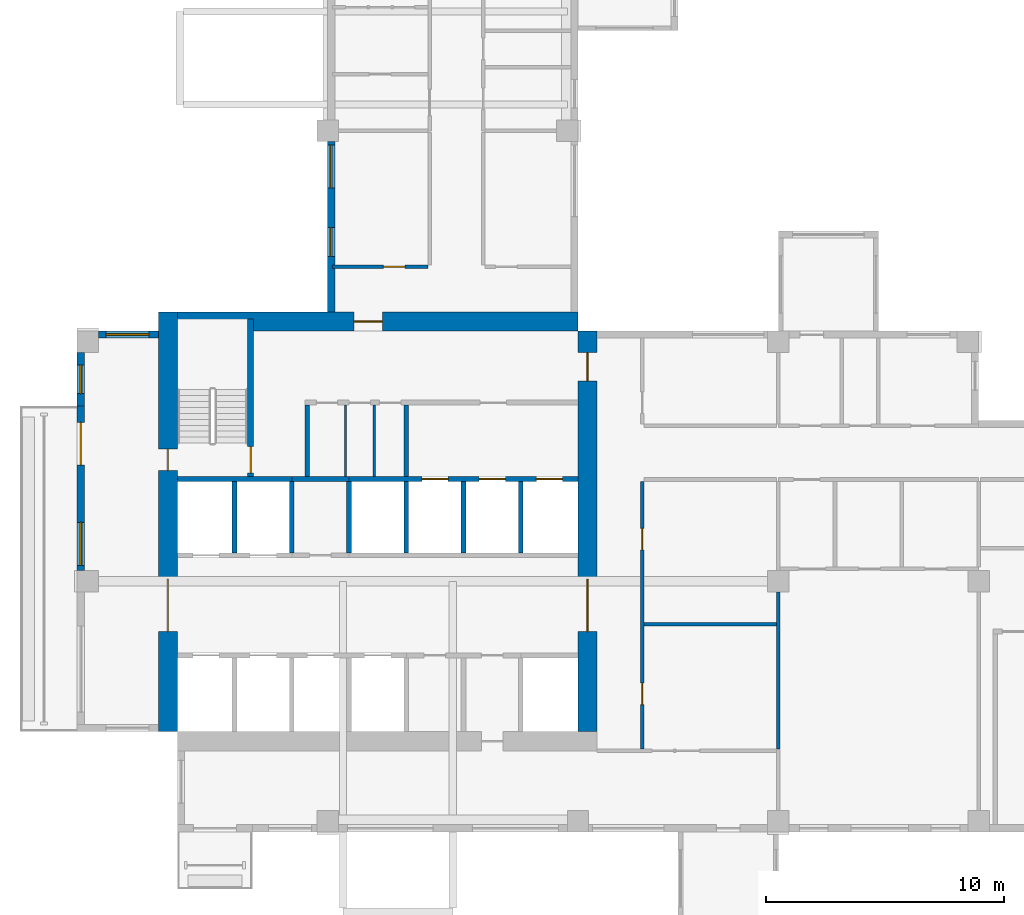
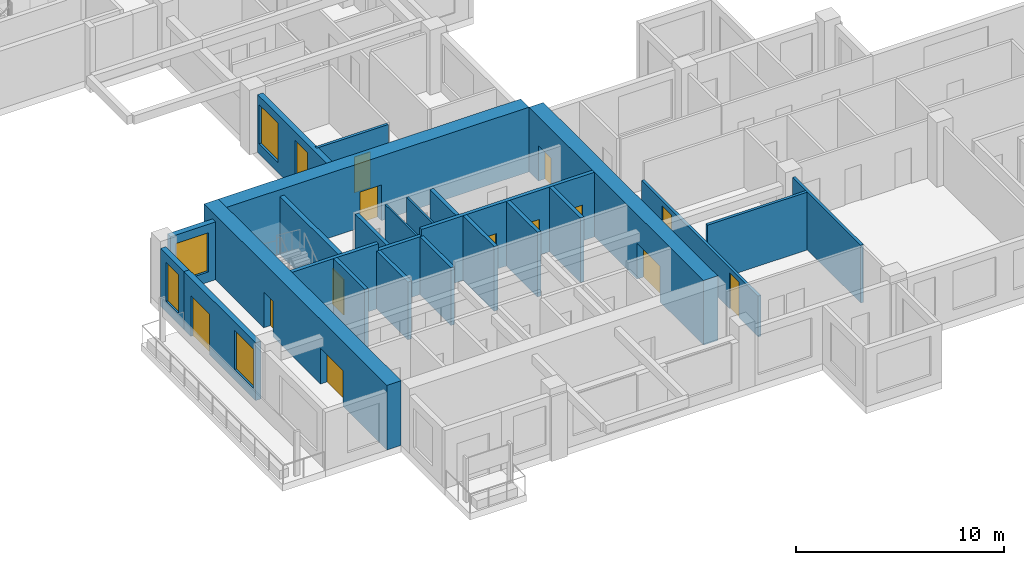
# One storey, part 3 of 13: 25 walls, 13 doors, 5 windows, 18 openings.
"""IFC4 building model written with IfcOpenShell, lengths in metres."""

from ifc_helpers import new_model, si_unit, direction, frame, frame_2d, origin, place, context, subcontext, project, spatial, rectangle, extrude, source, transform, mapped, material, layer, layer_set, type_object, element, fill, save


model = new_model("IFC4")

# Units and contexts
model_context = context("Model", 3, precision=1e-05, world=origin(), true_north=direction((0.0, 1.0)))
body_context = subcontext(model_context, "Body", "Model", "MODEL_VIEW")
ifc_project = project(units=[si_unit("LENGTHUNIT", "METRE"), si_unit("AREAUNIT", "SQUARE_METRE"), si_unit("VOLUMEUNIT", "CUBIC_METRE"), si_unit("PLANEANGLEUNIT", "RADIAN"), si_unit("MASSUNIT", "GRAM", prefix="KILO")], contexts=[model_context])

# Site, building, storey
site_placement = place(None, origin())
site = spatial("IfcSite", under=ifc_project, at=site_placement, CompositionType="ELEMENT")
building_placement = place(site_placement, origin())
building = spatial("IfcBuilding", under=site, at=building_placement, Name="Aurelian Terraces", CompositionType="ELEMENT")
storey_placement = place(building_placement, frame((0.0, 0.0, 193.0)))
storey = spatial("IfcBuildingStorey", under=building, at=storey_placement, Name="L42", CompositionType="ELEMENT", Elevation=193.0)

# Wall, openings, doors
ifc_material_1 = material(Name="Gypsum board on steel studs", Category="steel")
ifc_layer_1 = layer(ifc_material_1, 0.15)
ifc_layer_set_1 = layer_set([ifc_layer_1], Name="Partition 150")
wall_type_1 = type_object("IfcWallType", Name="Partition 150", PredefinedType="PARTITIONING", material=ifc_layer_set_1)
wall_1_placement = place(storey_placement, frame((23.7, 14.7, 0.0), z_axis=(0.0, 0.0, 1.0), x_axis=(0.0, -1.0, 0.0)))
wall_1 = element("IfcWall", 1, at=wall_1_placement, inside=storey, type_object=wall_type_1, Name="Partition", PredefinedType="PARTITIONING", context=body_context, shape_type="SweptSolid", body=[
    extrude(rectangle(XDim=11.225, YDim=0.15, at=frame_2d((5.6125, 0.0))), origin(), (0.0, 0.0, 1.0), 2.4),
])
shared_shape_1 = source(origin(), body_context, "Body", "SweptSolid", [
    extrude(rectangle(XDim=0.9, YDim=2.1, at=frame_2d((0.45, 1.05))), frame((0.0, 0.085, 0.0), z_axis=(0.0, -1.0, 0.0), x_axis=(1.0, 0.0, 0.0)), (0.0, 0.0, 1.0), 0.17),
])
opening_1_placement = place(wall_1_placement, frame((8.4625, 0.0, 0.0)))
opening_1 = element("IfcOpeningElement", 2, at=opening_1_placement, cuts=wall_1, Name="Opening 742001", PredefinedType="OPENING", context=body_context, shape_type="MappedRepresentation", body=[
    mapped(shared_shape_1, transform((0.0, 0.0, 0.0), scale=1.0)),
])
opening_2_placement = place(wall_1_placement, frame((1.975, 0.0, 0.0)))
opening_2 = element("IfcOpeningElement", 3, at=opening_2_placement, cuts=wall_1, Name="Opening 742002", PredefinedType="OPENING", context=body_context, shape_type="MappedRepresentation", body=[
    mapped(shared_shape_1, transform((0.0, 0.0, 0.0), scale=1.0)),
])
ifc_material_2 = material(Name="Timber door leaf", Category="wood")
door_type_1 = type_object("IfcDoorType", Name="Room door 900x2100 left", OperationType="SINGLE_SWING_LEFT", PredefinedType="DOOR", material=ifc_material_2)
shared_shape_2 = source(origin(), body_context, "Body", "SweptSolid", [
    extrude(rectangle(XDim=0.9, YDim=2.1, at=frame_2d((0.45, 1.05))), frame((0.0, 0.025, 0.0), z_axis=(0.0, -1.0, 0.0), x_axis=(1.0, 0.0, 0.0)), (0.0, 0.0, 1.0), 0.05),
])
door_1_placement = place(opening_1_placement, origin())
door_1 = element("IfcDoor", 4, at=door_1_placement, inside=storey, type_object=door_type_1, Name="Door 742001", OperationType="SINGLE_SWING_LEFT", OverallHeight=2.1, OverallWidth=0.9, PredefinedType="DOOR", context=body_context, shape_type="MappedRepresentation", body=[
    mapped(shared_shape_2, transform((0.0, 0.0, 0.0), scale=1.0)),
])
fill(opening_1, door_1)
door_type_2 = type_object("IfcDoorType", Name="Room door 900x2100 right", OperationType="SINGLE_SWING_RIGHT", PredefinedType="DOOR", material=ifc_material_2)
door_2_placement = place(opening_2_placement, origin())
door_2 = element("IfcDoor", 5, at=door_2_placement, inside=storey, type_object=door_type_2, Name="Door 742002", OperationType="SINGLE_SWING_RIGHT", OverallHeight=2.1, OverallWidth=0.9, PredefinedType="DOOR", context=body_context, shape_type="MappedRepresentation", body=[
    mapped(shared_shape_2, transform((0.0, 0.0, 0.0), scale=1.0)),
])
fill(opening_2, door_2)

# Wall, opening, door
wall_2_placement = place(storey_placement, frame((10.705, 23.7, 0.0), z_axis=(0.0, 0.0, 1.0), x_axis=(1.0, 0.0, 0.0)))
wall_2 = element("IfcWall", 6, at=wall_2_placement, inside=storey, type_object=wall_type_1, Name="Partition", PredefinedType="PARTITIONING", context=body_context, shape_type="SweptSolid", body=[
    extrude(rectangle(XDim=3.995, YDim=0.15, at=frame_2d((1.9975, 0.0))), origin(), (0.0, 0.0, 1.0), 3.4),
])
opening_3_placement = place(wall_2_placement, frame((2.1325, 0.0, 0.0)))
opening_3 = element("IfcOpeningElement", 7, at=opening_3_placement, cuts=wall_2, Name="Opening 742019", PredefinedType="OPENING", context=body_context, shape_type="MappedRepresentation", body=[
    mapped(shared_shape_1, transform((0.0, 0.0, 0.0), scale=1.0)),
])
door_3_placement = place(opening_3_placement, origin())
door_3 = element("IfcDoor", 8, at=door_3_placement, inside=storey, type_object=door_type_2, Name="Door 742019", OperationType="SINGLE_SWING_RIGHT", OverallHeight=2.1, OverallWidth=0.9, PredefinedType="DOOR", context=body_context, shape_type="MappedRepresentation", body=[
    mapped(shared_shape_2, transform((0.0, 0.0, 0.0), scale=1.0)),
])
fill(opening_3, door_3)

# Wall, openings, doors
ifc_material_3 = material(Name="Concrete fc' 70 MPa", Category="concrete")
ifc_layer_2 = layer(ifc_material_3, 0.8)
ifc_layer_set_2 = layer_set([ifc_layer_2], Name="CORE WALL 800 FC70")
wall_type_2 = type_object("IfcWallType", Name="CORE WALL 800 FC70", PredefinedType="SHEAR", material=ifc_layer_set_2)
shared_shape_3 = source(origin(), body_context, "Body", "SweptSolid", [
    extrude(rectangle(XDim=17.6, YDim=0.8, at=frame_2d((8.8, 0.0))), origin(), (0.0, 0.0, 1.0), 3.8),
])
wall_3_placement = place(storey_placement, frame((3.8, 4.2, 0.0), z_axis=(0.0, 0.0, 1.0), x_axis=(0.0, 1.0, 0.0)))
wall_3 = element("IfcWall", 9, at=wall_3_placement, inside=storey, type_object=wall_type_2, Name="Core wall W L42", PredefinedType="SHEAR", context=body_context, shape_type="MappedRepresentation", body=[
    mapped(shared_shape_3, transform((0.0, 0.0, 0.0), scale=1.0)),
])
shared_shape_4 = source(origin(), body_context, "Body", "SweptSolid", [
    extrude(rectangle(XDim=2.2, YDim=2.1, at=frame_2d((1.1, 1.05))), frame((0.0, 0.41, 0.0), z_axis=(0.0, -1.0, 0.0), x_axis=(1.0, 0.0, 0.0)), (0.0, 0.0, 1.0), 0.82),
])
opening_4_placement = place(wall_3_placement, frame((4.2, 0.0, 0.0)))
opening_4 = element("IfcOpeningElement", 10, at=opening_4_placement, cuts=wall_3, Name="Opening 64524", PredefinedType="OPENING", context=body_context, shape_type="MappedRepresentation", body=[
    mapped(shared_shape_4, transform((0.0, 0.0, 0.0), scale=1.0)),
])
shared_shape_5 = source(origin(), body_context, "Body", "SweptSolid", [
    extrude(rectangle(XDim=0.9, YDim=2.1, at=frame_2d((0.45, 1.05))), frame((0.0, 0.41, 0.0), z_axis=(0.0, -1.0, 0.0), x_axis=(1.0, 0.0, 0.0)), (0.0, 0.0, 1.0), 0.82),
])
opening_5_placement = place(wall_3_placement, frame((10.95, 0.0, 0.0)))
opening_5 = element("IfcOpeningElement", 11, at=opening_5_placement, cuts=wall_3, Name="Opening 64528", PredefinedType="OPENING", context=body_context, shape_type="MappedRepresentation", body=[
    mapped(shared_shape_5, transform((0.0, 0.0, 0.0), scale=1.0)),
])
ifc_material_4 = material(Name="Steel door leaf", Category="steel")
door_type_3 = type_object("IfcDoorType", Name="Core service door 900x2100", OperationType="SINGLE_SWING_LEFT", PredefinedType="DOOR", material=ifc_material_4)
door_4_placement = place(opening_5_placement, origin())
door_4 = element("IfcDoor", 12, at=door_4_placement, inside=storey, type_object=door_type_3, Name="Core door 64528", OperationType="SINGLE_SWING_LEFT", OverallHeight=2.1, OverallWidth=0.9, PredefinedType="DOOR", context=body_context, shape_type="MappedRepresentation", body=[
    mapped(shared_shape_2, transform((0.0, 0.0, 0.0), scale=1.0)),
])
fill(opening_5, door_4)
door_type_4 = type_object("IfcDoorType", Name="Core double door 2200x2100", OperationType="DOUBLE_DOOR_SINGLE_SWING", PredefinedType="DOOR", material=ifc_material_4)
shared_shape_6 = source(origin(), body_context, "Body", "SweptSolid", [
    extrude(rectangle(XDim=2.2, YDim=2.1, at=frame_2d((1.1, 1.05))), frame((0.0, 0.025, 0.0), z_axis=(0.0, -1.0, 0.0), x_axis=(1.0, 0.0, 0.0)), (0.0, 0.0, 1.0), 0.05),
])
door_5_placement = place(opening_4_placement, origin())
door_5 = element("IfcDoor", 13, at=door_5_placement, inside=storey, type_object=door_type_4, Name="Core door 64524", OperationType="DOUBLE_DOOR_SINGLE_SWING", OverallHeight=2.1, OverallWidth=2.2, PredefinedType="DOOR", context=body_context, shape_type="MappedRepresentation", body=[
    mapped(shared_shape_6, transform((0.0, 0.0, 0.0), scale=1.0)),
])
fill(opening_4, door_5)

shared_shape_7 = source(origin(), body_context, "Body", "SweptSolid", [
    extrude(rectangle(XDim=16.8, YDim=0.8, at=frame_2d((8.4, 0.0))), origin(), (0.0, 0.0, 1.0), 3.8),
])
wall_4_placement = place(storey_placement, frame((21.4, 4.2, 0.0), z_axis=(0.0, 0.0, 1.0), x_axis=(0.0, 1.0, 0.0)))
wall_4 = element("IfcWall", 14, at=wall_4_placement, inside=storey, type_object=wall_type_2, Name="Core wall E L42", PredefinedType="SHEAR", context=body_context, shape_type="MappedRepresentation", body=[
    mapped(shared_shape_7, transform((0.0, 0.0, 0.0), scale=1.0)),
])
opening_6_placement = place(wall_4_placement, frame((4.2, 0.0, 0.0)))
opening_6 = element("IfcOpeningElement", 15, at=opening_6_placement, cuts=wall_4, Name="Opening 64523", PredefinedType="OPENING", context=body_context, shape_type="MappedRepresentation", body=[
    mapped(shared_shape_4, transform((0.0, 0.0, 0.0), scale=1.0)),
])
shared_shape_8 = source(origin(), body_context, "Body", "SweptSolid", [
    extrude(rectangle(XDim=1.2, YDim=2.1, at=frame_2d((0.6, 1.05))), frame((0.0, 0.41, 0.0), z_axis=(0.0, -1.0, 0.0), x_axis=(1.0, 0.0, 0.0)), (0.0, 0.0, 1.0), 0.82),
])
opening_7_placement = place(wall_4_placement, frame((14.7, 0.0, 0.0)))
opening_7 = element("IfcOpeningElement", 16, at=opening_7_placement, cuts=wall_4, Name="Opening 64526", PredefinedType="OPENING", context=body_context, shape_type="MappedRepresentation", body=[
    mapped(shared_shape_8, transform((0.0, 0.0, 0.0), scale=1.0)),
])
door_type_5 = type_object("IfcDoorType", Name="Core fire door 1200x2100", OperationType="SINGLE_SWING_LEFT", PredefinedType="DOOR", material=ifc_material_4)
shared_shape_9 = source(origin(), body_context, "Body", "SweptSolid", [
    extrude(rectangle(XDim=1.2, YDim=2.1, at=frame_2d((0.6, 1.05))), frame((0.0, 0.025, 0.0), z_axis=(0.0, -1.0, 0.0), x_axis=(1.0, 0.0, 0.0)), (0.0, 0.0, 1.0), 0.05),
])
door_6_placement = place(opening_7_placement, origin())
door_6 = element("IfcDoor", 17, at=door_6_placement, inside=storey, type_object=door_type_5, Name="Core door 64526", OperationType="SINGLE_SWING_LEFT", OverallHeight=2.1, OverallWidth=1.2, PredefinedType="DOOR", context=body_context, shape_type="MappedRepresentation", body=[
    mapped(shared_shape_9, transform((0.0, 0.0, 0.0), scale=1.0)),
])
fill(opening_7, door_6)
door_7_placement = place(opening_6_placement, origin())
door_7 = element("IfcDoor", 18, at=door_7_placement, inside=storey, type_object=door_type_4, Name="Core door 64523", OperationType="DOUBLE_DOOR_SINGLE_SWING", OverallHeight=2.1, OverallWidth=2.2, PredefinedType="DOOR", context=body_context, shape_type="MappedRepresentation", body=[
    mapped(shared_shape_6, transform((0.0, 0.0, 0.0), scale=1.0)),
])
fill(opening_6, door_7)

# Wall, opening, door
wall_5_placement = place(storey_placement, frame((4.2, 21.4, 0.0), z_axis=(0.0, 0.0, 1.0), x_axis=(1.0, 0.0, 0.0)))
wall_5 = element("IfcWall", 19, at=wall_5_placement, inside=storey, type_object=wall_type_2, Name="Core wall N L42", PredefinedType="SHEAR", context=body_context, shape_type="MappedRepresentation", body=[
    mapped(shared_shape_7, transform((0.0, 0.0, 0.0), scale=1.0)),
])
opening_8_placement = place(wall_5_placement, frame((7.4, 0.0, 0.0)))
opening_8 = element("IfcOpeningElement", 20, at=opening_8_placement, cuts=wall_5, Name="Opening 64525", PredefinedType="OPENING", context=body_context, shape_type="MappedRepresentation", body=[
    mapped(shared_shape_8, transform((0.0, 0.0, 0.0), scale=1.0)),
])
door_type_6 = type_object("IfcDoorType", Name="Core fire door 1200x2100 right", OperationType="SINGLE_SWING_RIGHT", PredefinedType="DOOR", material=ifc_material_4)
door_8_placement = place(opening_8_placement, origin())
door_8 = element("IfcDoor", 21, at=door_8_placement, inside=storey, type_object=door_type_6, Name="Core door 64525", OperationType="SINGLE_SWING_RIGHT", OverallHeight=2.1, OverallWidth=1.2, PredefinedType="DOOR", context=body_context, shape_type="MappedRepresentation", body=[
    mapped(shared_shape_9, transform((0.0, 0.0, 0.0), scale=1.0)),
])
fill(opening_8, door_8)

# Wall, openings, windows
ifc_material_5 = material(Name="Terracotta rainscreen cladding", Category="masonry")
ifc_layer_3 = layer(ifc_material_5, 0.3)
ifc_layer_set_3 = layer_set([ifc_layer_3], Name="EW-300")
wall_type_3 = type_object("IfcWallType", Name="EW-300", PredefinedType="STANDARD", material=ifc_layer_set_3)
shared_shape_10 = source(origin(), body_context, "Body", "SweptSolid", [
    extrude(rectangle(XDim=7.15, YDim=0.3, at=frame_2d((3.575, 0.0))), origin(), (0.0, 0.0, 1.0), 3.4),
])
wall_6_placement = place(storey_placement, frame((10.65, 28.95, 0.0), z_axis=(0.0, 0.0, 1.0), x_axis=(0.0, -1.0, 0.0)))
wall_6 = element("IfcWall", 22, at=wall_6_placement, inside=storey, type_object=wall_type_3, Name="External wall L42 F18.34", PredefinedType="STANDARD", context=body_context, shape_type="MappedRepresentation", body=[
    mapped(shared_shape_10, transform((0.0, 0.0, 0.0), scale=1.0)),
])
shared_shape_11 = source(origin(), body_context, "Body", "SweptSolid", [
    extrude(rectangle(XDim=1.8, YDim=2.3, at=frame_2d((0.9, 1.15))), frame((0.0, 0.16, 0.0), z_axis=(0.0, -1.0, 0.0), x_axis=(1.0, 0.0, 0.0)), (0.0, 0.0, 1.0), 0.32),
])
opening_9_placement = place(wall_6_placement, frame((0.15, 0.0, 0.6)))
opening_9 = element("IfcOpeningElement", 23, at=opening_9_placement, cuts=wall_6, Name="Opening W1823", PredefinedType="OPENING", context=body_context, shape_type="MappedRepresentation", body=[
    mapped(shared_shape_11, transform((0.0, 0.0, 0.0), scale=1.0)),
])
shared_shape_12 = source(origin(), body_context, "Body", "SweptSolid", [
    extrude(rectangle(XDim=1.2, YDim=2.3, at=frame_2d((0.6, 1.15))), frame((0.0, 0.16, 0.0), z_axis=(0.0, -1.0, 0.0), x_axis=(1.0, 0.0, 0.0)), (0.0, 0.0, 1.0), 0.32),
])
opening_10_placement = place(wall_6_placement, frame((3.6125, 0.0, 0.6)))
opening_10 = element("IfcOpeningElement", 24, at=opening_10_placement, cuts=wall_6, Name="Opening W1223", PredefinedType="OPENING", context=body_context, shape_type="MappedRepresentation", body=[
    mapped(shared_shape_12, transform((0.0, 0.0, 0.0), scale=1.0)),
])
ifc_material_6 = material(Name="Clear glazing", Category="glass")
window_type_1 = type_object("IfcWindowType", Name="W-1200x2300", PartitioningType="SINGLE_PANEL", PredefinedType="WINDOW", material=ifc_material_6)
shared_shape_13 = source(origin(), body_context, "Body", "SweptSolid", [
    extrude(rectangle(XDim=1.2, YDim=2.3, at=frame_2d((0.6, 1.15))), frame((0.0, 0.03, 0.0), z_axis=(0.0, -1.0, 0.0), x_axis=(1.0, 0.0, 0.0)), (0.0, 0.0, 1.0), 0.06),
])
window_1_placement = place(opening_10_placement, origin())
window_1 = element("IfcWindow", 25, at=window_1_placement, inside=storey, type_object=window_type_1, Name="Window L42 L42-F18-34-G1-108", OverallHeight=2.3, OverallWidth=1.2, PartitioningType="SINGLE_PANEL", PredefinedType="WINDOW", context=body_context, shape_type="MappedRepresentation", body=[
    mapped(shared_shape_13, transform((0.0, 0.0, 0.0), scale=1.0)),
])
fill(opening_10, window_1)
window_type_2 = type_object("IfcWindowType", Name="W-1800x2300", PartitioningType="SINGLE_PANEL", PredefinedType="WINDOW", material=ifc_material_6)
shared_shape_14 = source(origin(), body_context, "Body", "SweptSolid", [
    extrude(rectangle(XDim=1.8, YDim=2.3, at=frame_2d((0.9, 1.15))), frame((0.0, 0.03, 0.0), z_axis=(0.0, -1.0, 0.0), x_axis=(1.0, 0.0, 0.0)), (0.0, 0.0, 1.0), 0.06),
])
window_2_placement = place(opening_9_placement, origin())
window_2 = element("IfcWindow", 26, at=window_2_placement, inside=storey, type_object=window_type_2, Name="Window L42 L42-F18-34-2", OverallHeight=2.3, OverallWidth=1.8, PartitioningType="SINGLE_PANEL", PredefinedType="WINDOW", context=body_context, shape_type="MappedRepresentation", body=[
    mapped(shared_shape_14, transform((0.0, 0.0, 0.0), scale=1.0)),
])
fill(opening_9, window_2)

# Wall, opening, window
shared_shape_15 = source(origin(), body_context, "Body", "SweptSolid", [
    extrude(rectangle(XDim=2.5, YDim=0.3, at=frame_2d((1.25, 0.0))), origin(), (0.0, 0.0, 1.0), 3.4),
])
wall_7_placement = place(storey_placement, frame((3.4, 20.85, 0.0), z_axis=(0.0, 0.0, 1.0), x_axis=(-1.0, 0.0, 0.0)))
wall_7 = element("IfcWall", 27, at=wall_7_placement, inside=storey, type_object=wall_type_3, Name="External wall L42 F21.37", PredefinedType="STANDARD", context=body_context, shape_type="MappedRepresentation", body=[
    mapped(shared_shape_15, transform((0.0, 0.0, 0.0), scale=1.0)),
])
opening_11_placement = place(wall_7_placement, frame((0.4, 0.0, 0.6)))
opening_11 = element("IfcOpeningElement", 28, at=opening_11_placement, cuts=wall_7, Name="Opening W1823", PredefinedType="OPENING", context=body_context, shape_type="MappedRepresentation", body=[
    mapped(shared_shape_11, transform((0.0, 0.0, 0.0), scale=1.0)),
])
window_3_placement = place(opening_11_placement, origin())
window_3 = element("IfcWindow", 29, at=window_3_placement, inside=storey, type_object=window_type_2, Name="Window L42 L42-F21-37-0", OverallHeight=2.3, OverallWidth=1.8, PartitioningType="SINGLE_PANEL", PredefinedType="WINDOW", context=body_context, shape_type="MappedRepresentation", body=[
    mapped(shared_shape_14, transform((0.0, 0.0, 0.0), scale=1.0)),
])
fill(opening_11, window_3)

shared_shape_16 = source(origin(), body_context, "Body", "SweptSolid", [
    extrude(rectangle(XDim=2.25, YDim=0.3, at=frame_2d((1.125, 0.0))), origin(), (0.0, 0.0, 1.0), 3.4),
])
wall_8_placement = place(storey_placement, frame((0.15, 20.1, 0.0), z_axis=(0.0, 0.0, 1.0), x_axis=(0.0, -1.0, 0.0)))
wall_8 = element("IfcWall", 30, at=wall_8_placement, inside=storey, type_object=wall_type_3, Name="External wall L42 F22.38", PredefinedType="STANDARD", context=body_context, shape_type="MappedRepresentation", body=[
    mapped(shared_shape_16, transform((0.0, 0.0, 0.0), scale=1.0)),
])
opening_12_placement = place(wall_8_placement, frame((0.525, 0.0, 0.6)))
opening_12 = element("IfcOpeningElement", 31, at=opening_12_placement, cuts=wall_8, Name="Opening W1223", PredefinedType="OPENING", context=body_context, shape_type="MappedRepresentation", body=[
    mapped(shared_shape_12, transform((0.0, 0.0, 0.0), scale=1.0)),
])
window_4_placement = place(opening_12_placement, origin())
window_4 = element("IfcWindow", 32, at=window_4_placement, inside=storey, type_object=window_type_1, Name="Window L42 L42-F22-38-P0", OverallHeight=2.3, OverallWidth=1.2, PartitioningType="SINGLE_PANEL", PredefinedType="WINDOW", context=body_context, shape_type="MappedRepresentation", body=[
    mapped(shared_shape_13, transform((0.0, 0.0, 0.0), scale=1.0)),
])
fill(opening_12, window_4)

# Wall, openings, door, window
shared_shape_17 = source(origin(), body_context, "Body", "SweptSolid", [
    extrude(rectangle(XDim=6.9, YDim=0.3, at=frame_2d((3.45, 0.0))), origin(), (0.0, 0.0, 1.0), 3.4),
])
wall_9_placement = place(storey_placement, frame((0.15, 17.85, 0.0), z_axis=(0.0, 0.0, 1.0), x_axis=(0.0, -1.0, 0.0)))
wall_9 = element("IfcWall", 33, at=wall_9_placement, inside=storey, type_object=wall_type_3, Name="External wall L42 F22.39", PredefinedType="STANDARD", context=body_context, shape_type="MappedRepresentation", body=[
    mapped(shared_shape_17, transform((0.0, 0.0, 0.0), scale=1.0)),
])
shared_shape_18 = source(origin(), body_context, "Body", "SweptSolid", [
    extrude(rectangle(XDim=1.8, YDim=2.4, at=frame_2d((0.9, 1.2))), frame((0.0, 0.16, 0.0), z_axis=(0.0, -1.0, 0.0), x_axis=(1.0, 0.0, 0.0)), (0.0, 0.0, 1.0), 0.32),
])
opening_13_placement = place(wall_9_placement, frame((0.675, 0.0, 0.0)))
opening_13 = element("IfcOpeningElement", 34, at=opening_13_placement, cuts=wall_9, Name="Opening 84205", PredefinedType="OPENING", context=body_context, shape_type="MappedRepresentation", body=[
    mapped(shared_shape_18, transform((0.0, 0.0, 0.0), scale=1.0)),
])
opening_14_placement = place(wall_9_placement, frame((4.875, 0.0, 0.6)))
opening_14 = element("IfcOpeningElement", 35, at=opening_14_placement, cuts=wall_9, Name="Opening W1823", PredefinedType="OPENING", context=body_context, shape_type="MappedRepresentation", body=[
    mapped(shared_shape_11, transform((0.0, 0.0, 0.0), scale=1.0)),
])
door_type_7 = type_object("IfcDoorType", Name="BD-1800x2400", OperationType="SLIDING_TO_LEFT", PredefinedType="DOOR", material=ifc_material_6)
shared_shape_19 = source(origin(), body_context, "Body", "SweptSolid", [
    extrude(rectangle(XDim=1.8, YDim=2.4, at=frame_2d((0.9, 1.2))), frame((0.0, 0.025, 0.0), z_axis=(0.0, -1.0, 0.0), x_axis=(1.0, 0.0, 0.0)), (0.0, 0.0, 1.0), 0.05),
])
door_9_placement = place(opening_13_placement, origin())
door_9 = element("IfcDoor", 36, at=door_9_placement, inside=storey, type_object=door_type_7, Name="Balcony door L42 F22.39", OperationType="SLIDING_TO_LEFT", OverallHeight=2.4, OverallWidth=1.8, PredefinedType="DOOR", context=body_context, shape_type="MappedRepresentation", body=[
    mapped(shared_shape_19, transform((0.0, 0.0, 0.0), scale=1.0)),
])
fill(opening_13, door_9)
window_5_placement = place(opening_14_placement, origin())
window_5 = element("IfcWindow", 37, at=window_5_placement, inside=storey, type_object=window_type_2, Name="Window L42 L42-F22-39-1", OverallHeight=2.3, OverallWidth=1.8, PartitioningType="SINGLE_PANEL", PredefinedType="WINDOW", context=body_context, shape_type="MappedRepresentation", body=[
    mapped(shared_shape_14, transform((0.0, 0.0, 0.0), scale=1.0)),
])
fill(opening_14, window_5)

# Walls
ifc_material_7 = material(Name="Concrete fc' 40 MPa", Category="concrete")
ifc_layer_4 = layer(ifc_material_7, 0.2)
ifc_layer_set_4 = layer_set([ifc_layer_4], Name="Lift shaft wall 200")
wall_type_4 = type_object("IfcWallType", Name="Lift shaft wall 200", PredefinedType="SOLIDWALL", material=ifc_layer_set_4)
shared_shape_20 = source(origin(), body_context, "Body", "SweptSolid", [
    extrude(rectangle(XDim=3.0, YDim=0.2, at=frame_2d((1.5, 0.0))), origin(), (0.0, 0.0, 1.0), 3.4),
])
for number, where, z_axis, x_axis, name in (
    (38, (9.0, 11.7, 0.0), (0.0, 0.0, 1.0), (0.0, 1.0, 0.0), "L42 core wall CD-B2"),
    (39, (11.4, 11.7, 0.0), (0.0, 0.0, 1.0), (0.0, 1.0, 0.0), "L42 core wall CD-B3"),
):
    element("IfcWall", number, at=place(storey_placement, frame(where, z_axis=z_axis, x_axis=x_axis)), inside=storey, type_object=wall_type_4, Name=name, PredefinedType="SOLIDWALL", context=body_context, shape_type="MappedRepresentation", body=[
        mapped(shared_shape_20, transform((0.0, 0.0, 0.0), scale=1.0)),
    ])
shared_shape_21 = source(origin(), body_context, "Body", "SweptSolid", [
    extrude(rectangle(XDim=3.0, YDim=0.2, at=frame_2d((1.5, 0.0))), origin(), (0.0, 0.0, 1.0), 3.8),
])
for number, where, z_axis, x_axis, name in (
    (40, (6.6, 11.7, 0.0), (0.0, 0.0, 1.0), (0.0, 1.0, 0.0), "L42 core wall CD-B1"),
    (41, (13.8, 11.7, 0.0), (0.0, 0.0, 1.0), (0.0, 1.0, 0.0), "L42 core wall CD-B4"),
    (42, (16.2, 11.7, 0.0), (0.0, 0.0, 1.0), (0.0, 1.0, 0.0), "L42 core wall CD-B5"),
    (43, (18.6, 11.7, 0.0), (0.0, 0.0, 1.0), (0.0, 1.0, 0.0), "L42 core wall CD-B6"),
):
    element("IfcWall", number, at=place(storey_placement, frame(where, z_axis=z_axis, x_axis=x_axis)), inside=storey, type_object=wall_type_4, Name=name, PredefinedType="SOLIDWALL", context=body_context, shape_type="MappedRepresentation", body=[
        mapped(shared_shape_21, transform((0.0, 0.0, 0.0), scale=1.0)),
    ])

# Wall, openings, doors
shared_shape_22 = source(origin(), body_context, "Body", "SweptSolid", [
    extrude(rectangle(XDim=9.6, YDim=0.2, at=frame_2d((4.8, 0.0))), origin(), (0.0, 0.0, 1.0), 3.8),
])
wall_10_placement = place(storey_placement, frame((11.4, 14.8, 0.0), z_axis=(0.0, 0.0, 1.0), x_axis=(1.0, 0.0, 0.0)))
wall_10 = element("IfcWall", 44, at=wall_10_placement, inside=storey, type_object=wall_type_4, Name="L42 core wall CF-BB3", PredefinedType="SOLIDWALL", context=body_context, shape_type="MappedRepresentation", body=[
    mapped(shared_shape_22, transform((0.0, 0.0, 0.0), scale=1.0)),
])
shared_shape_23 = source(origin(), body_context, "Body", "SweptSolid", [
    extrude(rectangle(XDim=1.1, YDim=2.1, at=frame_2d((0.55, 1.05))), frame((0.0, 0.11, 0.0), z_axis=(0.0, -1.0, 0.0), x_axis=(1.0, 0.0, 0.0)), (0.0, 0.0, 1.0), 0.22),
])
opening_15_placement = place(wall_10_placement, frame((3.05, 0.0, 0.0)))
opening_15 = element("IfcOpeningElement", 45, at=opening_15_placement, cuts=wall_10, Name="Opening 64509", PredefinedType="OPENING", context=body_context, shape_type="MappedRepresentation", body=[
    mapped(shared_shape_23, transform((0.0, 0.0, 0.0), scale=1.0)),
])
opening_16_placement = place(wall_10_placement, frame((5.45, 0.0, 0.0)))
opening_16 = element("IfcOpeningElement", 46, at=opening_16_placement, cuts=wall_10, Name="Opening 64510", PredefinedType="OPENING", context=body_context, shape_type="MappedRepresentation", body=[
    mapped(shared_shape_23, transform((0.0, 0.0, 0.0), scale=1.0)),
])
opening_17_placement = place(wall_10_placement, frame((7.85, 0.0, 0.0)))
opening_17 = element("IfcOpeningElement", 47, at=opening_17_placement, cuts=wall_10, Name="Opening 64511", PredefinedType="OPENING", context=body_context, shape_type="MappedRepresentation", body=[
    mapped(shared_shape_23, transform((0.0, 0.0, 0.0), scale=1.0)),
])
ifc_material_8 = material(Name="Stainless steel", Category="steel")
door_type_8 = type_object("IfcDoorType", Name="Lift landing door 1100x2100", OperationType="SLIDING_TO_LEFT", PredefinedType="DOOR", material=ifc_material_8)
shared_shape_24 = source(origin(), body_context, "Body", "SweptSolid", [
    extrude(rectangle(XDim=1.1, YDim=2.1, at=frame_2d((0.55, 1.05))), frame((0.0, 0.025, 0.0), z_axis=(0.0, -1.0, 0.0), x_axis=(1.0, 0.0, 0.0)), (0.0, 0.0, 1.0), 0.05),
])
door_10_placement = place(opening_15_placement, origin())
door_10 = element("IfcDoor", 48, at=door_10_placement, inside=storey, type_object=door_type_8, Name="Lift landing door F1 L42", OperationType="SLIDING_TO_LEFT", OverallHeight=2.1, OverallWidth=1.1, PredefinedType="DOOR", context=body_context, shape_type="MappedRepresentation", body=[
    mapped(shared_shape_24, transform((0.0, 0.0, 0.0), scale=1.0)),
])
fill(opening_15, door_10)
door_11_placement = place(opening_16_placement, origin())
door_11 = element("IfcDoor", 49, at=door_11_placement, inside=storey, type_object=door_type_8, Name="Lift landing door F2 L42", OperationType="SLIDING_TO_LEFT", OverallHeight=2.1, OverallWidth=1.1, PredefinedType="DOOR", context=body_context, shape_type="MappedRepresentation", body=[
    mapped(shared_shape_24, transform((0.0, 0.0, 0.0), scale=1.0)),
])
fill(opening_16, door_11)
door_12_placement = place(opening_17_placement, origin())
door_12 = element("IfcDoor", 50, at=door_12_placement, inside=storey, type_object=door_type_8, Name="Lift landing door F3 L42", OperationType="SLIDING_TO_LEFT", OverallHeight=2.1, OverallWidth=1.1, PredefinedType="DOOR", context=body_context, shape_type="MappedRepresentation", body=[
    mapped(shared_shape_24, transform((0.0, 0.0, 0.0), scale=1.0)),
])
fill(opening_17, door_12)

# Walls
shared_shape_25 = source(origin(), body_context, "Body", "SweptSolid", [
    extrude(rectangle(XDim=4.8, YDim=0.2, at=frame_2d((2.4, 0.0))), origin(), (0.0, 0.0, 1.0), 3.8),
])
wall_11_placement = place(storey_placement, frame((4.2, 14.8, 0.0), z_axis=(0.0, 0.0, 1.0), x_axis=(1.0, 0.0, 0.0)))
element("IfcWall", 51, at=wall_11_placement, inside=storey, type_object=wall_type_4, Name="L42 core wall CF-BB1", PredefinedType="SOLIDWALL", context=body_context, shape_type="MappedRepresentation", body=[
    mapped(shared_shape_25, transform((0.0, 0.0, 0.0), scale=1.0)),
])
shared_shape_26 = source(origin(), body_context, "Body", "SweptSolid", [
    extrude(rectangle(XDim=2.4, YDim=0.2, at=frame_2d((1.2, 0.0))), origin(), (0.0, 0.0, 1.0), 3.4),
])
wall_12_placement = place(storey_placement, frame((9.0, 14.8, 0.0), z_axis=(0.0, 0.0, 1.0), x_axis=(1.0, 0.0, 0.0)))
element("IfcWall", 52, at=wall_12_placement, inside=storey, type_object=wall_type_4, Name="L42 core wall CF-BB2", PredefinedType="SOLIDWALL", context=body_context, shape_type="MappedRepresentation", body=[
    mapped(shared_shape_26, transform((0.0, 0.0, 0.0), scale=1.0)),
])
ifc_layer_5 = layer(ifc_material_1, 0.2)
ifc_layer_set_5 = layer_set([ifc_layer_5], Name="Core partition 200")
wall_type_5 = type_object("IfcWallType", Name="Core partition 200", PredefinedType="PARTITIONING", material=ifc_layer_set_5)
shared_shape_27 = source(origin(), body_context, "Body", "SweptSolid", [
    extrude(rectangle(XDim=3.0, YDim=0.2, at=frame_2d((1.5, 0.0))), origin(), (0.0, 0.0, 1.0), 3.4),
])
for number, where, z_axis, x_axis, name in (
    (53, (9.65, 14.9, 0.0), (0.0, 0.0, 1.0), (0.0, 1.0, 0.0), "L42 core wall CP-VEST"),
    (54, (13.8, 14.9, 0.0), (0.0, 0.0, 1.0), (0.0, 1.0, 0.0), "L42 core wall CP-FFL"),
):
    element("IfcWall", number, at=place(storey_placement, frame(where, z_axis=z_axis, x_axis=x_axis)), inside=storey, type_object=wall_type_5, Name=name, PredefinedType="PARTITIONING", context=body_context, shape_type="MappedRepresentation", body=[
        mapped(shared_shape_27, transform((0.0, 0.0, 0.0), scale=1.0)),
    ])
ifc_layer_6 = layer(ifc_material_1, 0.1)
ifc_layer_set_6 = layer_set([ifc_layer_6], Name="Core partition 100")
wall_type_6 = type_object("IfcWallType", Name="Core partition 100", PredefinedType="PARTITIONING", material=ifc_layer_set_6)
shared_shape_28 = source(origin(), body_context, "Body", "SweptSolid", [
    extrude(rectangle(XDim=3.0, YDim=0.1, at=frame_2d((1.5, 0.0))), origin(), (0.0, 0.0, 1.0), 3.4),
])
for number, where, z_axis, x_axis, name in (
    (55, (11.25, 14.9, 0.0), (0.0, 0.0, 1.0), (0.0, 1.0, 0.0), "L42 core wall CP-SV1"),
    (56, (12.45, 14.9, 0.0), (0.0, 0.0, 1.0), (0.0, 1.0, 0.0), "L42 core wall CP-SV2"),
):
    element("IfcWall", number, at=place(storey_placement, frame(where, z_axis=z_axis, x_axis=x_axis)), inside=storey, type_object=wall_type_6, Name=name, PredefinedType="PARTITIONING", context=body_context, shape_type="MappedRepresentation", body=[
        mapped(shared_shape_28, transform((0.0, 0.0, 0.0), scale=1.0)),
    ])

# Wall, opening, door
ifc_layer_7 = layer(ifc_material_7, 0.25)
ifc_layer_set_7 = layer_set([ifc_layer_7], Name="Stair enclosure wall 250")
wall_type_7 = type_object("IfcWallType", Name="Stair enclosure wall 250", PredefinedType="SOLIDWALL", material=ifc_layer_set_7)
shared_shape_29 = source(origin(), body_context, "Body", "SweptSolid", [
    extrude(rectangle(XDim=6.6, YDim=0.25, at=frame_2d((3.3, 0.0))), origin(), (0.0, 0.0, 1.0), 3.4),
])
wall_13_placement = place(storey_placement, frame((7.275, 14.9, 0.0), z_axis=(0.0, 0.0, 1.0), x_axis=(0.0, 1.0, 0.0)))
wall_13 = element("IfcWall", 57, at=wall_13_placement, inside=storey, type_object=wall_type_7, Name="L42 core wall ST-S1-E", PredefinedType="SOLIDWALL", context=body_context, shape_type="MappedRepresentation", body=[
    mapped(shared_shape_29, transform((0.0, 0.0, 0.0), scale=1.0)),
])
shared_shape_30 = source(origin(), body_context, "Body", "SweptSolid", [
    extrude(rectangle(XDim=1.1, YDim=2.1, at=frame_2d((0.55, 1.05))), frame((0.0, 0.135, 0.0), z_axis=(0.0, -1.0, 0.0), x_axis=(1.0, 0.0, 0.0)), (0.0, 0.0, 1.0), 0.27),
])
opening_18_placement = place(wall_13_placement, frame((0.15, 0.0, 0.0)))
opening_18 = element("IfcOpeningElement", 58, at=opening_18_placement, cuts=wall_13, Name="Opening 64512", PredefinedType="OPENING", context=body_context, shape_type="MappedRepresentation", body=[
    mapped(shared_shape_30, transform((0.0, 0.0, 0.0), scale=1.0)),
])
door_type_9 = type_object("IfcDoorType", Name="Core fire door 1100x2100 right", OperationType="SINGLE_SWING_RIGHT", PredefinedType="DOOR", material=ifc_material_4)
door_13_placement = place(opening_18_placement, origin())
door_13 = element("IfcDoor", 59, at=door_13_placement, inside=storey, type_object=door_type_9, Name="Stair door 64512", OperationType="SINGLE_SWING_RIGHT", OverallHeight=2.1, OverallWidth=1.1, PredefinedType="DOOR", context=body_context, shape_type="MappedRepresentation", body=[
    mapped(shared_shape_24, transform((0.0, 0.0, 0.0), scale=1.0)),
])
fill(opening_18, door_13)

# Walls
shared_shape_31 = source(origin(), body_context, "Body", "SweptSolid", [
    extrude(rectangle(XDim=5.55, YDim=0.15, at=frame_2d((2.775, 0.0))), origin(), (0.0, 0.0, 1.0), 3.4),
])
wall_14_placement = place(storey_placement, frame((29.325, 8.7, 0.0), z_axis=(0.0, 0.0, 1.0), x_axis=(-1.0, 0.0, 0.0)))
element("IfcWall", 60, at=wall_14_placement, inside=storey, type_object=wall_type_1, Name="Partition", PredefinedType="PARTITIONING", context=body_context, shape_type="MappedRepresentation", body=[
    mapped(shared_shape_31, transform((0.0, 0.0, 0.0), scale=1.0)),
])
shared_shape_32 = source(origin(), body_context, "Body", "SweptSolid", [
    extrude(rectangle(XDim=6.576, YDim=0.15, at=frame_2d((3.288, 0.0))), origin(), (0.0, 0.0, 1.0), 3.4),
])
wall_15_placement = place(storey_placement, frame((29.4, 3.475, 0.0), z_axis=(0.0, 0.0, 1.0), x_axis=(0.0, 1.0, 0.0)))
element("IfcWall", 61, at=wall_15_placement, inside=storey, type_object=wall_type_1, Name="Partition", PredefinedType="PARTITIONING", context=body_context, shape_type="MappedRepresentation", body=[
    mapped(shared_shape_32, transform((0.0, 0.0, 0.0), scale=1.0)),
])

save(model, "model.ifc")
